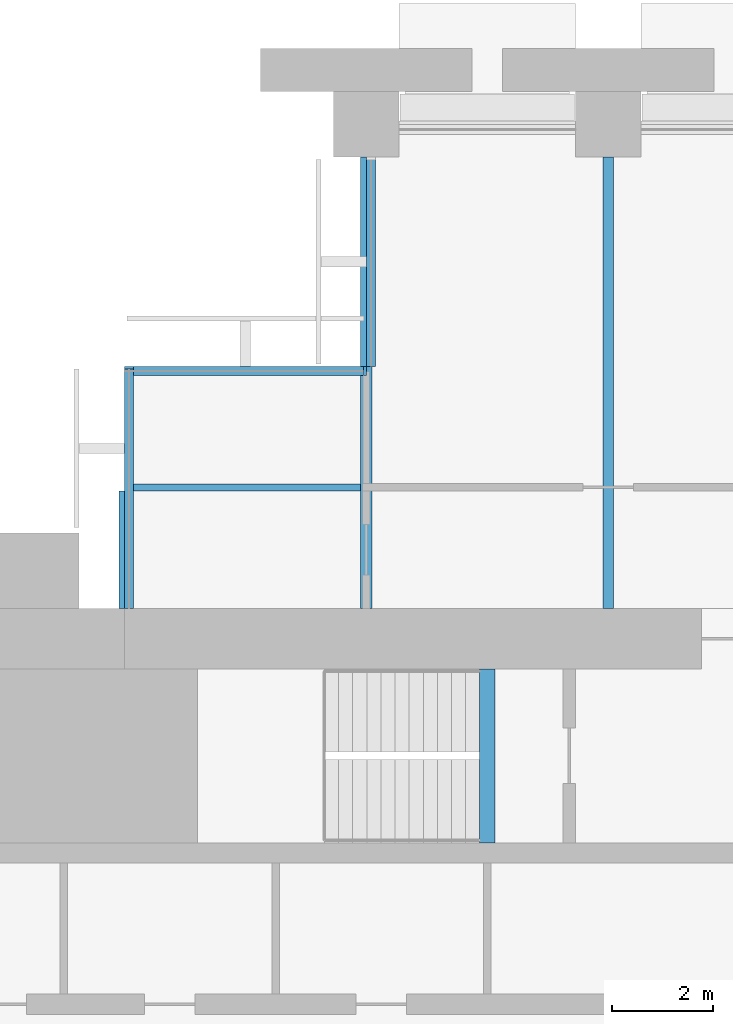
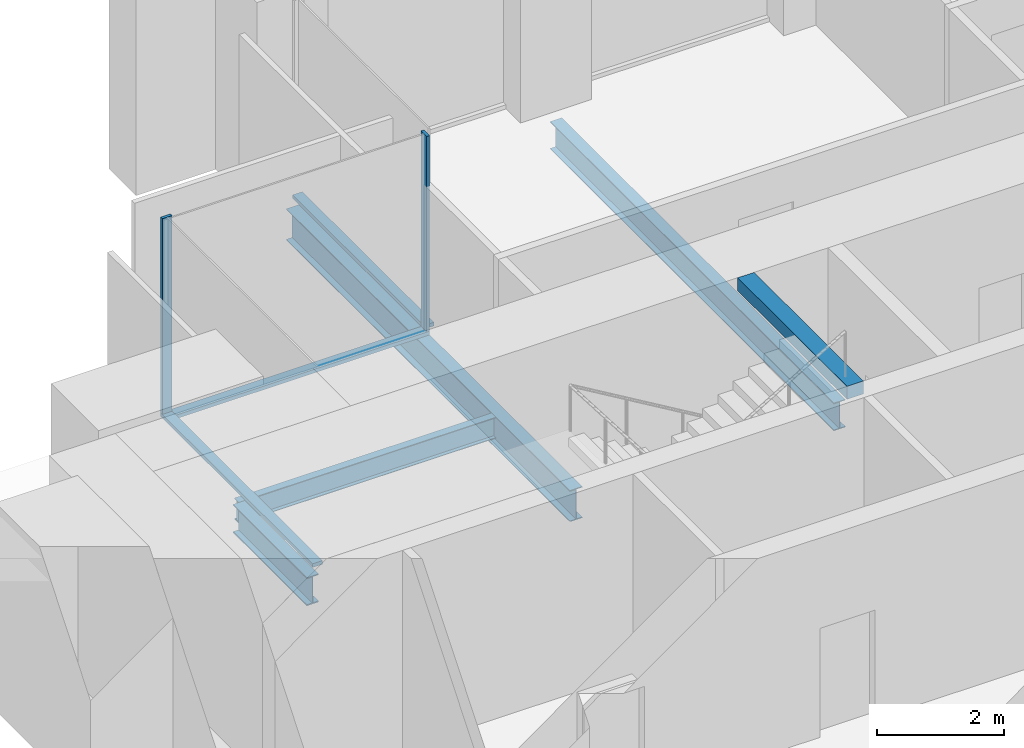
# One storey, part 5 of 15: 5 beams, 5 members, 3 elements without a shape of their own.
"""IFC4 building model written with IfcOpenShell, lengths in metres."""

import ifcopenshell
import ifcopenshell.guid

model = None  # the IFC model being written
_history = None  # IfcOwnerHistory: only IFC2X3 demands one
_inside = {}  # id of a spatial element -> (the spatial element, [elements in it])
_under = {}  # id of a project, library or spatial element -> (it, [spatial elements below it])
_declared = {}  # id of a project -> (the project, [libraries it declares])
_typed = {}  # id of a type object -> (the type object, [elements of that type])
_made_of = {}  # id of a material, layer set ... -> (it, [elements and type objects made of it])


def new_model(schema):
    """Start an empty IFC model of exactly this schema.

    Asked for "IFC4X3", IfcOpenShell would pick the latest addendum, in which some entities
    have other attributes; the version numbers below select the first issue.
    IFC2X3 requires an IfcOwnerHistory on every rooted entity: one is made here for all.
    """
    global model, _history
    if schema == "IFC4X3":
        model = ifcopenshell.file(schema_version=(4, 3, 0, 0))
    else:
        model = ifcopenshell.file(schema=schema)
    _inside.clear()
    _under.clear()
    _declared.clear()
    _typed.clear()
    _made_of.clear()
    _history = None
    if model.schema == "IFC2X3":
        org = make("IfcOrganization", Name="unknown")
        user = make(
            "IfcPersonAndOrganization",
            ThePerson=make("IfcPerson", FamilyName="unknown"),
            TheOrganization=org,
        )
        app = make(
            "IfcApplication",
            ApplicationDeveloper=org,
            Version="unknown",
            ApplicationFullName="unknown",
            ApplicationIdentifier="unknown",
        )
        _history = make(
            "IfcOwnerHistory",
            OwningUser=user,
            OwningApplication=app,
            ChangeAction="ADDED",
            CreationDate=0,
        )
    return model


def make(cls, **values):
    """One entity of the class cls with the attributes given. An attribute that is None is left unset."""
    return model.create_entity(
        cls, **{name: value for name, value in values.items() if value is not None}
    )


def rooted(cls, **values):
    """An entity with a GlobalId (a new one), such as an element, a storey or a relation."""
    return make(cls, GlobalId=ifcopenshell.guid.new(), OwnerHistory=_history, **values)


def si_unit(unit_type, name, prefix=None):
    """IfcSIUnit, for example si_unit("LENGTHUNIT", "METRE", prefix="MILLI")."""
    return make("IfcSIUnit", UnitType=unit_type, Prefix=prefix, Name=name)


def assignment(units):
    """IfcUnitAssignment: the units of a project."""
    return None if units is None else make("IfcUnitAssignment", Units=units)


def point(xyz):
    """IfcCartesianPoint."""
    return None if xyz is None else make("IfcCartesianPoint", Coordinates=xyz)


def direction(xyz):
    """IfcDirection."""
    return None if xyz is None else make("IfcDirection", DirectionRatios=xyz)


def frame(location, z_axis=None, x_axis=None):
    """IfcAxis2Placement3D, a coordinate frame: its origin and axes. An axis left out is left unset."""
    return make(
        "IfcAxis2Placement3D",
        Location=point(location),
        Axis=direction(z_axis),
        RefDirection=direction(x_axis),
    )


def frame_2d(location, x_axis=None):
    """IfcAxis2Placement2D, a coordinate frame in the plane: its origin and x axis."""
    return make(
        "IfcAxis2Placement2D", Location=point(location), RefDirection=direction(x_axis)
    )


def origin():
    """The frame at (0, 0, 0) with its axes left unset."""
    return frame((0.0, 0.0, 0.0))


def origin_2d():
    """The frame at (0, 0) in the plane with its x axis left unset."""
    return frame_2d((0.0, 0.0))


def place(relative_to, where):
    """IfcLocalPlacement: puts the frame where relative to a parent placement (None: the world)."""
    return make(
        "IfcLocalPlacement", PlacementRelTo=relative_to, RelativePlacement=where
    )


def context(
    kind, dimensions, precision=None, world=None, true_north=None, identifier=None
):
    """IfcGeometricRepresentationContext, for example the 3D "Model" context."""
    return make(
        "IfcGeometricRepresentationContext",
        ContextIdentifier=identifier,
        ContextType=kind,
        CoordinateSpaceDimension=dimensions,
        Precision=precision,
        WorldCoordinateSystem=world,
        TrueNorth=true_north,
    )


def subcontext(parent, identifier, kind, view, scale=None):
    """IfcGeometricRepresentationSubContext, for example "Body" below "Model"."""
    return make(
        "IfcGeometricRepresentationSubContext",
        ContextIdentifier=identifier,
        ContextType=kind,
        ParentContext=parent,
        TargetScale=scale,
        TargetView=view,
    )


def project(units=None, contexts=None):
    """IfcProject with its units and contexts."""
    return rooted(
        "IfcProject",
        Name="project",
        RepresentationContexts=contexts,
        UnitsInContext=assignment(units),
    )


def spatial(cls, under=None, at=None, **own):
    """A site, building, storey or space (cls), placed at a placement, below another one or the project."""
    s = rooted(cls, ObjectPlacement=at, **own)
    if under is not None:
        _under.setdefault(under.id(), (under, []))[1].append(s)
    return s


def profile(cls, at=None, kind="AREA", **sizes):
    """A parametric profile (cls). Its sizes go by their IFC names, for example OverallWidth=200.0."""
    return make(cls, ProfileType=kind, Position=at, **sizes)


def rectangle(**sizes):
    """IfcRectangleProfileDef."""
    return profile("IfcRectangleProfileDef", **sizes)


def i_section(**sizes):
    """IfcIShapeProfileDef."""
    return profile("IfcIShapeProfileDef", **sizes)


def extrude(swept, where, along, depth):
    """IfcExtrudedAreaSolid: the profile swept, set in the frame where, extruded along a direction by depth."""
    return make(
        "IfcExtrudedAreaSolid",
        SweptArea=swept,
        Position=where,
        ExtrudedDirection=direction(along),
        Depth=depth,
    )


def shape(context_of_items, identifier, shape_type, items):
    """IfcShapeRepresentation: the items that make up one representation, for example the "Body"."""
    return make(
        "IfcShapeRepresentation",
        ContextOfItems=context_of_items,
        RepresentationIdentifier=identifier,
        RepresentationType=shape_type,
        Items=items,
    )


def material(Name=None, Category=None):
    """IfcMaterial."""
    return make("IfcMaterial", Name=Name, Category=Category)


def material_profile(
    of_material, cross_section, Name=None, Category=None, Priority=None
):
    """IfcMaterialProfile: a cross section and its material."""
    return make(
        "IfcMaterialProfile",
        Name=Name,
        Material=of_material,
        Profile=cross_section,
        Priority=Priority,
        Category=Category,
    )


def profile_set(profiles, Name=None, composite=None):
    """IfcMaterialProfileSet."""
    return make(
        "IfcMaterialProfileSet",
        Name=Name,
        MaterialProfiles=profiles,
        CompositeProfile=composite,
    )


def made_of(thing, what):
    """Note that an element or type object is made of a material, layer set ...; save() writes the relation."""
    if what is not None:
        _made_of.setdefault(what.id(), (what, []))[1].append(thing)
    return thing


def type_object(cls, material=None, **own):
    """A type object (cls), such as IfcWallType, which elements share."""
    return made_of(rooted(cls, **own), material)


def element(
    cls,
    number,
    at=None,
    inside=None,
    cuts=None,
    type_object=None,
    material=None,
    context=None,
    identifier="Body",
    shape_type=None,
    held_by="IfcProductDefinitionShape",
    body=None,
    shapes=None,
    **own,
):
    """One element of the class cls, such as IfcWall. Its Tag is "e" and its number.

    at: its placement. inside: the storey or other place that contains it. cuts: it is an
    opening in that element (IfcRelVoidsElement). A single representation is given by context,
    identifier, shape_type and body (its items); several are given by shapes. held_by: the class
    of the entity that holds the representations. save() writes the other relations.
    """
    e = rooted(cls, Tag="e%d" % number, ObjectPlacement=at, **own)
    if body is not None:
        shapes = [shape(context, identifier, shape_type, body)]
    if shapes is not None:
        e.Representation = make(held_by, Representations=shapes)
    if inside is not None:
        _inside.setdefault(inside.id(), (inside, []))[1].append(e)
    if cuts is not None:
        rooted(
            "IfcRelVoidsElement", RelatingBuildingElement=cuts, RelatedOpeningElement=e
        )
    if type_object is not None:
        _typed.setdefault(type_object.id(), (type_object, []))[1].append(e)
    return made_of(e, material)


def aggregate(whole, parts):
    """IfcRelAggregates: a whole, such as a stair, and the parts it consists of."""
    return rooted("IfcRelAggregates", RelatingObject=whole, RelatedObjects=parts)


def save(model, path):
    """Write the relations noted so far, then the file.

    IfcRelAggregates (storeys below a building ...), IfcRelContainedInSpatialStructure (elements
    in a storey), IfcRelDefinesByType, IfcRelAssociatesMaterial and IfcRelDeclares: one each for
    every whole, place, type object, material and project.
    """
    for whole, parts in _under.values():
        aggregate(whole, parts)
    for where, things in _inside.values():
        rooted(
            "IfcRelContainedInSpatialStructure",
            RelatedElements=things,
            RelatingStructure=where,
        )
    for kind, things in _typed.values():
        rooted("IfcRelDefinesByType", RelatedObjects=things, RelatingType=kind)
    for what, things in _made_of.values():
        rooted("IfcRelAssociatesMaterial", RelatedObjects=things, RelatingMaterial=what)
    for by, libraries in _declared.values():
        rooted("IfcRelDeclares", RelatingContext=by, RelatedDefinitions=libraries)
    model.write(path)


model = new_model("IFC4")

# Units and contexts
model_context = context("Model", 3, precision=1e-05, world=origin(), true_north=direction((0.0, 1.0)))
body_context = subcontext(model_context, "Body", "Model", "MODEL_VIEW")
ifc_project = project(units=[si_unit("LENGTHUNIT", "METRE"), si_unit("AREAUNIT", "SQUARE_METRE"), si_unit("VOLUMEUNIT", "CUBIC_METRE"), si_unit("PLANEANGLEUNIT", "RADIAN"), si_unit("MASSUNIT", "GRAM", prefix="KILO")], contexts=[model_context])

# Site, building, storey
site_placement = place(None, origin())
site = spatial("IfcSite", under=ifc_project, at=site_placement, CompositionType="ELEMENT")
building_placement = place(site_placement, origin())
building = spatial("IfcBuilding", under=site, at=building_placement, Name="Baori Bourse Tower", CompositionType="ELEMENT")
storey_placement = place(building_placement, frame((0.0, 0.0, 47.0)))
storey = spatial("IfcBuildingStorey", under=building, at=storey_placement, Name="L09", CompositionType="ELEMENT", Elevation=47.0)

# Curtain wall, member
ifc_material_1 = material(Name="Pale anodised aluminium", Category="aluminium")
curtain_wall_type = type_object("IfcCurtainWallType", Name="CW2 Curtain wall", PredefinedType="NOTDEFINED", material=ifc_material_1)
curtain_wall_1_placement = place(storey_placement, origin())
curtain_wall_1 = element("IfcCurtainWall", 1, at=curtain_wall_1_placement, inside=storey, type_object=curtain_wall_type, Name="Curtain wall CW2 L09 8", PredefinedType="NOTDEFINED")
ifc_material_2 = material(Name="Pale anodised aluminium", Category="aluminium")
ifc_material_profile_1 = material_profile(ifc_material_2, rectangle(XDim=0.179931640625, YDim=0.054931640625, at=origin_2d()), Name="Mullion 55x180")
ifc_profile_set_1 = profile_set([ifc_material_profile_1], Name="Pale anodised aluminium")
member_type_1 = type_object("IfcMemberType", Name="CW2 Curtain wall mullion", PredefinedType="MULLION", material=ifc_profile_set_1)
member_1_placement = place(storey_placement, frame((9.572509765625, 43.110107421875, 0.070068359375), z_axis=(0.0, 0.0, 1.0), x_axis=(0.0, -1.0, 0.0)))
member_1 = element("IfcMember", 2, at=member_1_placement, type_object=member_type_1, Name="Curtain wall CW2 mullion", PredefinedType="MULLION", context=body_context, shape_type="SweptSolid", body=[
    extrude(rectangle(XDim=0.179931640625, YDim=0.054931640625, at=origin_2d()), origin(), (0.0, 0.0, 1.0), 3.77001953125),
])

curtain_wall_2_placement = place(storey_placement, origin())
curtain_wall_2 = element("IfcCurtainWall", 3, at=curtain_wall_2_placement, inside=storey, type_object=curtain_wall_type, Name="Curtain wall CW2 L09 9", PredefinedType="NOTDEFINED")
member_2_placement = place(storey_placement, frame((4.889892578125, 43.172607421875, 0.070068359375), z_axis=(0.0, 0.0, 1.0), x_axis=(1.0, 0.0, 0.0)))
member_2 = element("IfcMember", 4, at=member_2_placement, type_object=member_type_1, Name="Curtain wall CW2 mullion", PredefinedType="MULLION", context=body_context, shape_type="SweptSolid", body=[
    extrude(rectangle(XDim=0.179931640625, YDim=0.054931640625, at=origin_2d()), origin(), (0.0, 0.0, 1.0), 3.77001953125),
])

curtain_wall_3_placement = place(storey_placement, origin())
curtain_wall_3 = element("IfcCurtainWall", 5, at=curtain_wall_3_placement, inside=storey, type_object=curtain_wall_type, Name="Curtain wall CW2 L09 7", PredefinedType="NOTDEFINED")
ifc_material_3 = material(Name="Pale anodised aluminium", Category="aluminium")
ifc_material_profile_2 = material_profile(ifc_material_3, rectangle(XDim=0.179931640625, YDim=0.070068359375, at=origin_2d()), Name="Transom 70x180")
ifc_profile_set_2 = profile_set([ifc_material_profile_2], Name="Pale anodised aluminium")
member_type_2 = type_object("IfcMemberType", Name="CW2 Curtain wall transom", PredefinedType="USERDEFINED", material=ifc_profile_set_2)
member_3_placement = place(storey_placement, frame((9.68994140625, 47.35009765625, 0.034912109375), z_axis=(0.0, -1.0, 0.0), x_axis=(1.0, 0.0, 0.0)))
member_3 = element("IfcMember", 6, at=member_3_placement, type_object=member_type_2, Name="Curtain wall CW2 sill rail", ObjectType="TRANSOM", PredefinedType="USERDEFINED", context=body_context, shape_type="SweptSolid", body=[
    extrude(rectangle(XDim=0.179931640625, YDim=0.070068359375, at=origin_2d()), origin(), (0.0, 0.0, 1.0), 4.150146484375),
])
aggregate(curtain_wall_3, [member_3])

# Member
member_4_placement = place(storey_placement, frame((9.60009765625, 43.110107421875, 0.034912109375), z_axis=(-1.0, 0.0, 0.0), x_axis=(0.0, -1.0, 0.0)))
member_4 = element("IfcMember", 7, at=member_4_placement, type_object=member_type_2, Name="Curtain wall CW2 sill rail", ObjectType="TRANSOM", PredefinedType="USERDEFINED", context=body_context, shape_type="SweptSolid", body=[
    extrude(rectangle(XDim=0.179931640625, YDim=0.070068359375, at=origin_2d()), origin(), (0.0, 0.0, 1.0), 4.800048828125),
])

aggregate(curtain_wall_1, [member_4, member_1])

member_5_placement = place(storey_placement, frame((4.889892578125, 43.199951171875, 0.034912109375), z_axis=(0.0, -1.0, 0.0), x_axis=(1.0, 0.0, 0.0)))
member_5 = element("IfcMember", 8, at=member_5_placement, type_object=member_type_2, Name="Curtain wall CW2 sill rail", ObjectType="TRANSOM", PredefinedType="USERDEFINED", context=body_context, shape_type="SweptSolid", body=[
    extrude(rectangle(XDim=0.179931640625, YDim=0.070068359375, at=origin_2d()), origin(), (0.0, 0.0, 1.0), 4.800048828125),
])

aggregate(curtain_wall_2, [member_5, member_2])

# Beams
ifc_material_4 = material(Name="Steel A992 Gr 50", Category="steel")
ifc_material_profile_3 = material_profile(ifc_material_4, i_section(OverallWidth=0.21240234375, OverallDepth=0.54345703125, WebThickness=0.01318359375, FlangeThickness=0.021240234375, at=origin_2d()), Name="W21x83")
ifc_profile_set_3 = profile_set([ifc_material_profile_3], Name="Steel A992 Gr 50")
beam_type_1 = type_object("IfcBeamType", Name="Core bracket W21x83", PredefinedType="BEAM", material=ifc_profile_set_3)
beam_1_placement = place(storey_placement, frame((4.800048828125, 38.39990234375, -0.431884765625), z_axis=(0.0, 1.0, 0.0), x_axis=(-1.0, 0.0, 0.0)))
element("IfcBeam", 9, at=beam_1_placement, inside=storey, type_object=beam_type_1, Name="Core bracket L09", PredefinedType="BEAM", context=body_context, shape_type="SweptSolid", body=[
    extrude(i_section(OverallWidth=0.21240234375, OverallDepth=0.54345703125, WebThickness=0.01318359375, FlangeThickness=0.021240234375, at=origin_2d()), origin(), (0.0, 0.0, 1.0), 2.329833984375),
])
ifc_material_5 = material(Name="Steel A992 Gr 50", Category="steel")
ifc_material_profile_4 = material_profile(ifc_material_5, i_section(OverallWidth=0.209228515625, OverallDepth=0.533447265625, WebThickness=0.01025390625, FlangeThickness=0.015625, at=origin_2d()), Name="W21x62")
ifc_profile_set_4 = profile_set([ifc_material_profile_4], Name="Steel A992 Gr 50")
beam_type_2 = type_object("IfcBeamType", Name="Floor beam W21x62", PredefinedType="BEAM", material=ifc_profile_set_4)
beam_2_placement = place(storey_placement, frame((14.39990234375, 38.39990234375, -0.4267578125), z_axis=(0.0, 1.0, 0.0), x_axis=(-1.0, 0.0, 0.0)))
element("IfcBeam", 10, at=beam_2_placement, inside=storey, type_object=beam_type_2, Name="Floor beam L09", PredefinedType="BEAM", context=body_context, shape_type="SweptSolid", body=[
    extrude(i_section(OverallWidth=0.209228515625, OverallDepth=0.533447265625, WebThickness=0.01025390625, FlangeThickness=0.015625, at=origin_2d()), origin(), (0.0, 0.0, 1.0), 8.9501953125),
])
ifc_material_6 = material(Name="Steel A992 Gr 50", Category="steel")
ifc_material_profile_5 = material_profile(ifc_material_6, i_section(OverallWidth=0.227783203125, OverallDepth=0.60205078125, WebThickness=0.010498046875, FlangeThickness=0.014892578125, at=origin_2d()), Name="W24x68")
ifc_profile_set_5 = profile_set([ifc_material_profile_5], Name="Steel A992 Gr 50")
beam_type_3 = type_object("IfcBeamType", Name="Floor beam W24x68", PredefinedType="BEAM", material=ifc_profile_set_5)
beam_3_placement = place(storey_placement, frame((9.60009765625, 38.39990234375, -0.4609375), z_axis=(0.0, 1.0, 0.0), x_axis=(-1.0, 0.0, 0.0)))
element("IfcBeam", 11, at=beam_3_placement, inside=storey, type_object=beam_type_3, Name="Floor beam L09", PredefinedType="BEAM", context=body_context, shape_type="SweptSolid", body=[
    extrude(i_section(OverallWidth=0.227783203125, OverallDepth=0.60205078125, WebThickness=0.010498046875, FlangeThickness=0.014892578125, at=origin_2d()), origin(), (0.0, 0.0, 1.0), 8.9501953125),
])
ifc_material_7 = material(Name="Concrete f'c 50 MPa", Category="concrete")
ifc_material_profile_6 = material_profile(ifc_material_7, rectangle(XDim=0.300048828125, YDim=0.25, at=origin_2d()), Name="RC 300x250")
ifc_profile_set_6 = profile_set([ifc_material_profile_6], Name="Concrete f'c 50 MPa")
beam_type_4 = type_object("IfcBeamType", Name="Stair nib beam RC 300x250", PredefinedType="BEAM", material=ifc_profile_set_6)
beam_4_placement = place(storey_placement, frame((12.0, 33.75, 3.715087890625), z_axis=(0.0, 1.0, 0.0), x_axis=(-1.0, 0.0, 0.0)))
element("IfcBeam", 12, at=beam_4_placement, inside=storey, type_object=beam_type_4, Name="Stair WB nib beam L10", PredefinedType="BEAM", context=body_context, shape_type="SweptSolid", body=[
    extrude(rectangle(XDim=0.300048828125, YDim=0.25, at=origin_2d()), origin(), (0.0, 0.0, 1.0), 3.449951171875),
])
ifc_material_8 = material(Name="Steel A992 Gr 50", Category="steel")
ifc_material_profile_7 = material_profile(ifc_material_8, i_section(OverallWidth=0.140380859375, OverallDepth=0.40380859375, WebThickness=0.007080078125, FlangeThickness=0.01123046875, at=origin_2d()), Name="W16x31")
ifc_profile_set_7 = profile_set([ifc_material_profile_7], Name="Steel A992 Gr 50")
beam_type_5 = type_object("IfcBeamType", Name="Trimmer beam W16x31", PredefinedType="BEAM", material=ifc_profile_set_7)
beam_5_placement = place(storey_placement, frame((4.800048828125, 40.800048828125, -0.36181640625), z_axis=(1.0, 0.0, 0.0), x_axis=(0.0, 1.0, 0.0)))
element("IfcBeam", 13, at=beam_5_placement, inside=storey, type_object=beam_type_5, Name="Trimmer beam L09", PredefinedType="BEAM", context=body_context, shape_type="SweptSolid", body=[
    extrude(i_section(OverallWidth=0.140380859375, OverallDepth=0.40380859375, WebThickness=0.007080078125, FlangeThickness=0.01123046875, at=origin_2d()), origin(), (0.0, 0.0, 1.0), 4.68603515625),
])

save(model, "model.ifc")
